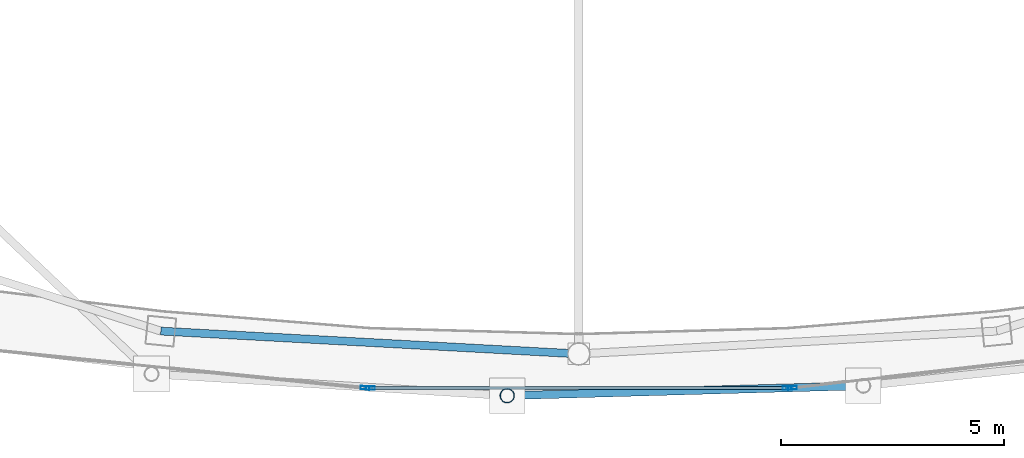
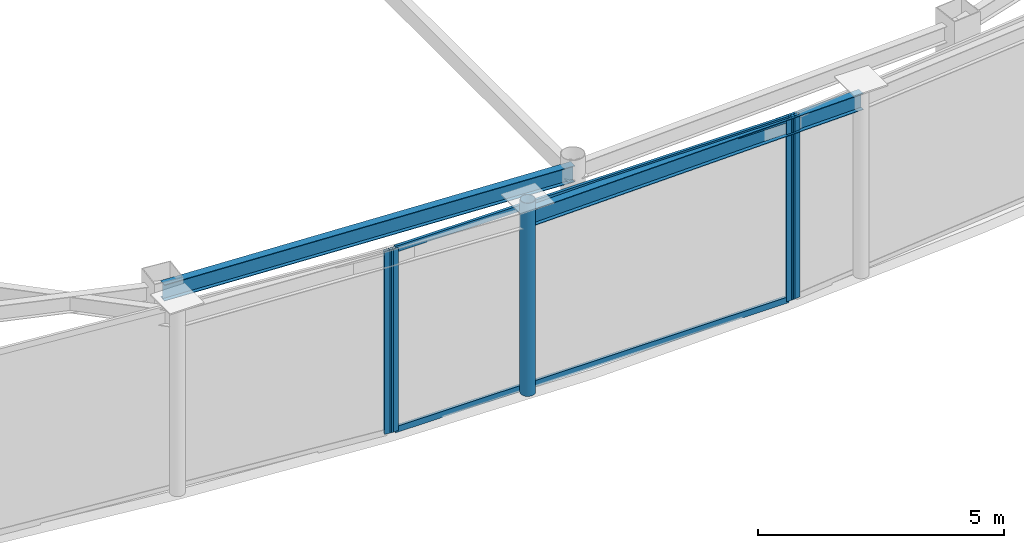
# One storey, part 6 of 20: 7 members, 2 beams, 3 elements without a shape of their own.
"""IFC4 building model written with IfcOpenShell, lengths in metres."""

from ifc_helpers import new_model, si_unit, direction, frame, origin, origin_2d, place, context, subcontext, project, spatial, hollow_rectangle, hollow_circle, i_section, extrude, material, layer, layer_set, material_profile, profile_set, type_object, element, aggregate, save


model = new_model("IFC4")

# Units and contexts
model_context = context("Model", 3, precision=1e-05, world=origin(), true_north=direction((0.0, 1.0)))
body_context = subcontext(model_context, "Body", "Model", "MODEL_VIEW")
ifc_project = project(units=[si_unit("LENGTHUNIT", "METRE"), si_unit("AREAUNIT", "SQUARE_METRE"), si_unit("VOLUMEUNIT", "CUBIC_METRE"), si_unit("PLANEANGLEUNIT", "RADIAN"), si_unit("MASSUNIT", "GRAM", prefix="KILO")], contexts=[model_context])

# Site, building, storey
site_placement = place(None, origin())
site = spatial("IfcSite", under=ifc_project, at=site_placement, CompositionType="ELEMENT")
building_placement = place(site_placement, origin())
building = spatial("IfcBuilding", under=site, at=building_placement, Name="Orvanel Arch Residences", CompositionType="ELEMENT")
storey_placement = place(building_placement, frame((0.0, 0.0, 300.5)))
storey = spatial("IfcBuildingStorey", under=building, at=storey_placement, Name="L84", CompositionType="ELEMENT", Elevation=300.5)

# Curtain wall, member
ifc_material_1 = material(Name="Bronze-anodised aluminium AA6063-T6", Category="aluminium")
ifc_layer = layer(ifc_material_1, 0.2099609375)
ifc_layer_set = layer_set([ifc_layer], Name="Bronze-anodised aluminium AA6063-T6")
curtain_wall_type = type_object("IfcCurtainWallType", Name="CW7-TOP-SYS", PredefinedType="NOTDEFINED", material=ifc_layer_set)
curtain_wall_1_placement = place(storey_placement, origin())
curtain_wall_1 = element("IfcCurtainWall", 1, at=curtain_wall_1_placement, inside=storey, type_object=curtain_wall_type, Name="L84 CW7-TOP-SYS Unitised Curtain Wall", PredefinedType="NOTDEFINED")
ifc_material_profile_1 = material_profile(ifc_material_1, hollow_rectangle(XDim=0.074951171875, YDim=0.199951171875, WallThickness=0.0048828125, at=origin_2d()), Name="ALU200x75x5")
ifc_profile_set_1 = profile_set([ifc_material_profile_1], Name="Bronze-anodised aluminium AA6063-T6")
member_type_1 = type_object("IfcMemberType", Name="MUL-200x75", PredefinedType="MULLION", material=ifc_profile_set_1)
member_1_placement = place(storey_placement, frame((28.2216796875, 6.083740234375, 0.0), z_axis=(0.0, 0.0, 1.0), x_axis=(0.10054103466, 0.994932912487, 0.0)))
member_1 = element("IfcMember", 2, at=member_1_placement, type_object=member_type_1, Name="CW-S7 mullion 2", PredefinedType="MULLION", context=body_context, shape_type="SweptSolid", body=[
    extrude(hollow_rectangle(XDim=0.074951171875, YDim=0.199951171875, WallThickness=0.0048828125, at=origin_2d()), origin(), (0.0, 0.0, 1.0), 4.550048828125),
])
aggregate(curtain_wall_1, [member_1])

# Curtain wall, members
curtain_wall_2_placement = place(storey_placement, origin())
curtain_wall_2 = element("IfcCurtainWall", 3, at=curtain_wall_2_placement, inside=storey, type_object=curtain_wall_type, Name="L84 CW7-TOP-SYS Unitised Curtain Wall", PredefinedType="NOTDEFINED")
member_2_placement = place(storey_placement, frame((28.33642578125, 6.077880859375, 0.0), z_axis=(0.0, 0.0, 1.0), x_axis=(0.0, 1.0, 0.0)))
member_2 = element("IfcMember", 4, at=member_2_placement, type_object=member_type_1, Name="CW-S7 mullion 1", PredefinedType="MULLION", context=body_context, shape_type="SweptSolid", body=[
    extrude(hollow_rectangle(XDim=0.074951171875, YDim=0.199951171875, WallThickness=0.0048828125, at=origin_2d()), origin(), (0.0, 0.0, 1.0), 4.550048828125),
])
member_3_placement = place(storey_placement, frame((37.66357421875, 6.077880859375, 0.0), z_axis=(0.0, 0.0, 1.0), x_axis=(0.0, 1.0, 0.0)))
member_3 = element("IfcMember", 5, at=member_3_placement, type_object=member_type_1, Name="CW-S7 mullion 2", PredefinedType="MULLION", context=body_context, shape_type="SweptSolid", body=[
    extrude(hollow_rectangle(XDim=0.074951171875, YDim=0.199951171875, WallThickness=0.0048828125, at=origin_2d()), origin(), (0.0, 0.0, 1.0), 4.550048828125),
])

# Curtain wall, member
curtain_wall_3_placement = place(storey_placement, origin())
curtain_wall_3 = element("IfcCurtainWall", 6, at=curtain_wall_3_placement, inside=storey, type_object=curtain_wall_type, Name="L84 CW7-TOP-SYS Unitised Curtain Wall", PredefinedType="NOTDEFINED")
member_4_placement = place(storey_placement, frame((37.7783203125, 6.084228515625, 0.0), z_axis=(0.0, 0.0, 1.0), x_axis=(-0.11424494002, 0.9934526127, 0.0)))
member_4 = element("IfcMember", 7, at=member_4_placement, type_object=member_type_1, Name="CW-S7 mullion 1", PredefinedType="MULLION", context=body_context, shape_type="SweptSolid", body=[
    extrude(hollow_rectangle(XDim=0.074951171875, YDim=0.199951171875, WallThickness=0.0048828125, at=origin_2d()), origin(), (0.0, 0.0, 1.0), 4.550048828125),
])
aggregate(curtain_wall_3, [member_4])

# Beams
ifc_material_2 = material(Name="Structural steel AS/NZS 3679.1 Grade 300 (300 MPa)", Category="steel")
ifc_material_profile_2 = material_profile(ifc_material_2, i_section(OverallWidth=0.177978515625, OverallDepth=0.406005859375, WebThickness=0.0078125, FlangeThickness=0.0126953125, at=origin_2d()), Name="410UB59.7")
ifc_profile_set_2 = profile_set([ifc_material_profile_2], Name="Structural steel AS/NZS 3679.1 Grade 300 (300 MPa)")
beam_type_1 = type_object("IfcBeamType", Name="OB-410UB", PredefinedType="SPANDREL", material=ifc_profile_set_2)
beam_1_placement = place(storey_placement, frame((23.64892578125, 7.35498046875, 4.346923828125), z_axis=(0.998510315598, -0.054563262768, 0.0), x_axis=(0.054563262768, 0.998510315598, 0.0)))
element("IfcBeam", 8, at=beam_1_placement, inside=storey, type_object=beam_type_1, Name="L84 Perimeter Spandrel Beam 03", PredefinedType="SPANDREL", context=body_context, shape_type="SweptSolid", body=[
    extrude(i_section(OverallWidth=0.177978515625, OverallDepth=0.406005859375, WebThickness=0.0078125, FlangeThickness=0.0126953125, at=origin_2d()), origin(), (0.0, 0.0, 1.0), 9.364990234375),
])
ifc_material_profile_3 = material_profile(ifc_material_2, i_section(OverallWidth=0.177978515625, OverallDepth=0.406005859375, WebThickness=0.0078125, FlangeThickness=0.0126953125, at=origin_2d()), Name="410UB59.7")
ifc_profile_set_3 = profile_set([ifc_material_profile_3], Name="Structural steel AS/NZS 3679.1 Grade 300 (300 MPa)")
beam_type_2 = type_object("IfcBeamType", Name="OB-410UB-EXT", PredefinedType="SPANDREL", material=ifc_profile_set_3)
beam_2_placement = place(storey_placement, frame((31.39892578125, 5.908935546875, 4.346923828125), z_axis=(0.999611510585, 0.027871632645, 0.0), x_axis=(-0.027871632645, 0.999611510585, 0.0)))
element("IfcBeam", 9, at=beam_2_placement, inside=storey, type_object=beam_type_2, Name="L84 Outer Perimeter Floor Ring Beam 06", PredefinedType="SPANDREL", context=body_context, shape_type="SweptSolid", body=[
    extrude(i_section(OverallWidth=0.177978515625, OverallDepth=0.406005859375, WebThickness=0.0078125, FlangeThickness=0.0126953125, at=origin_2d()), origin(), (0.0, 0.0, 1.0), 7.97119140625),
])

# Member
ifc_material_3 = material(Name="Structural steel AS/NZS 1163 C350L0 (Grade 350)", Category="steel")
ifc_material_profile_4 = material_profile(ifc_material_3, hollow_circle(Radius=0.162109375, WallThickness=0.0126953125, at=origin_2d()), Name="CHS324x12.7")
ifc_profile_set_4 = profile_set([ifc_material_profile_4], Name="Structural steel AS/NZS 1163 C350L0 (Grade 350)")
member_type_2 = type_object("IfcMemberType", Name="ST-324CHS-EXT", PredefinedType="STRUT", material=ifc_profile_set_4)
member_5_placement = place(storey_placement, frame((31.39892578125, 5.908935546875, 0.0), z_axis=(0.0, 0.0, 1.0), x_axis=(1.0, 0.0, 0.0)))
element("IfcMember", 10, at=member_5_placement, inside=storey, type_object=member_type_2, Name="L84 Outer Perimeter Frame Post 06", PredefinedType="STRUT", context=body_context, shape_type="SweptSolid", body=[
    extrude(hollow_circle(Radius=0.162109375, WallThickness=0.0126953125, at=origin_2d()), origin(), (0.0, 0.0, 1.0), 4.800048828125),
])

ifc_material_profile_5 = material_profile(ifc_material_1, hollow_rectangle(XDim=0.06494140625, YDim=0.14990234375, WallThickness=0.00390625, at=origin_2d()), Name="ALU150x65x4")
ifc_profile_set_5 = profile_set([ifc_material_profile_5], Name="Bronze-anodised aluminium AA6063-T6")
member_type_3 = type_object("IfcMemberType", Name="TRN-150x65", PredefinedType="USERDEFINED", material=ifc_profile_set_5)
member_6_placement = place(storey_placement, frame((28.3740234375, 6.077880859375, 0.032470703125), z_axis=(1.0, 0.0, 0.0), x_axis=(0.0, 1.0, 0.0)))
member_6 = element("IfcMember", 11, at=member_6_placement, type_object=member_type_3, Name="CW-S7 transom 1.1", ObjectType="TRANSOM", PredefinedType="USERDEFINED", context=body_context, shape_type="SweptSolid", body=[
    extrude(hollow_rectangle(XDim=0.06494140625, YDim=0.14990234375, WallThickness=0.00390625, at=origin_2d()), origin(), (0.0, 0.0, 1.0), 9.251953125),
])

member_7_placement = place(storey_placement, frame((28.3740234375, 6.077880859375, 4.517578125), z_axis=(1.0, 0.0, 0.0), x_axis=(0.0, 1.0, 0.0)))
member_7 = element("IfcMember", 12, at=member_7_placement, type_object=member_type_3, Name="CW-S7 transom 1.2", ObjectType="TRANSOM", PredefinedType="USERDEFINED", context=body_context, shape_type="SweptSolid", body=[
    extrude(hollow_rectangle(XDim=0.06494140625, YDim=0.14990234375, WallThickness=0.00390625, at=origin_2d()), origin(), (0.0, 0.0, 1.0), 9.251953125),
])

aggregate(curtain_wall_2, [member_2, member_3, member_6, member_7])

save(model, "model.ifc")
